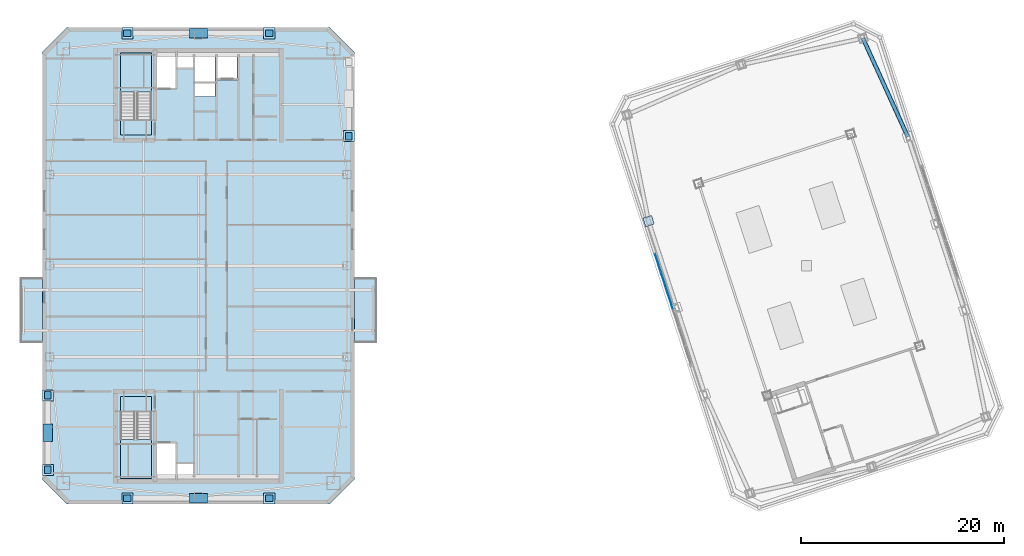
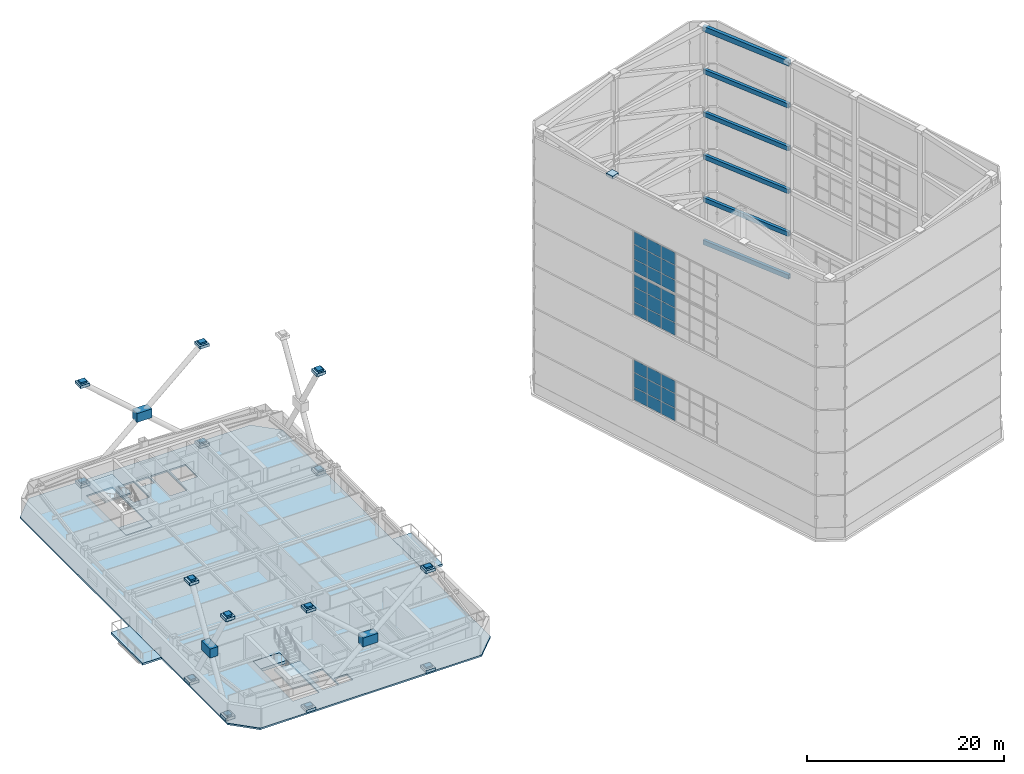
# One storey, part 44 of 56: 59 plates, 7 slabs, 6 beams, 5 elements without a shape of their own.
"""IFC4 building model written with IfcOpenShell, lengths in metres."""

import ifcopenshell
import ifcopenshell.guid

model = None  # the IFC model being written
_history = None  # IfcOwnerHistory: only IFC2X3 demands one
_inside = {}  # id of a spatial element -> (the spatial element, [elements in it])
_under = {}  # id of a project, library or spatial element -> (it, [spatial elements below it])
_declared = {}  # id of a project -> (the project, [libraries it declares])
_typed = {}  # id of a type object -> (the type object, [elements of that type])
_made_of = {}  # id of a material, layer set ... -> (it, [elements and type objects made of it])


def new_model(schema):
    """Start an empty IFC model of exactly this schema.

    Asked for "IFC4X3", IfcOpenShell would pick the latest addendum, in which some entities
    have other attributes; the version numbers below select the first issue.
    IFC2X3 requires an IfcOwnerHistory on every rooted entity: one is made here for all.
    """
    global model, _history
    if schema == "IFC4X3":
        model = ifcopenshell.file(schema_version=(4, 3, 0, 0))
    else:
        model = ifcopenshell.file(schema=schema)
    _inside.clear()
    _under.clear()
    _declared.clear()
    _typed.clear()
    _made_of.clear()
    _history = None
    if model.schema == "IFC2X3":
        org = make("IfcOrganization", Name="unknown")
        user = make(
            "IfcPersonAndOrganization",
            ThePerson=make("IfcPerson", FamilyName="unknown"),
            TheOrganization=org,
        )
        app = make(
            "IfcApplication",
            ApplicationDeveloper=org,
            Version="unknown",
            ApplicationFullName="unknown",
            ApplicationIdentifier="unknown",
        )
        _history = make(
            "IfcOwnerHistory",
            OwningUser=user,
            OwningApplication=app,
            ChangeAction="ADDED",
            CreationDate=0,
        )
    return model


def make(cls, **values):
    """One entity of the class cls with the attributes given. An attribute that is None is left unset."""
    return model.create_entity(
        cls, **{name: value for name, value in values.items() if value is not None}
    )


def rooted(cls, **values):
    """An entity with a GlobalId (a new one), such as an element, a storey or a relation."""
    return make(cls, GlobalId=ifcopenshell.guid.new(), OwnerHistory=_history, **values)


def si_unit(unit_type, name, prefix=None):
    """IfcSIUnit, for example si_unit("LENGTHUNIT", "METRE", prefix="MILLI")."""
    return make("IfcSIUnit", UnitType=unit_type, Prefix=prefix, Name=name)


def assignment(units):
    """IfcUnitAssignment: the units of a project."""
    return None if units is None else make("IfcUnitAssignment", Units=units)


def point(xyz):
    """IfcCartesianPoint."""
    return None if xyz is None else make("IfcCartesianPoint", Coordinates=xyz)


def direction(xyz):
    """IfcDirection."""
    return None if xyz is None else make("IfcDirection", DirectionRatios=xyz)


def frame(location, z_axis=None, x_axis=None):
    """IfcAxis2Placement3D, a coordinate frame: its origin and axes. An axis left out is left unset."""
    return make(
        "IfcAxis2Placement3D",
        Location=point(location),
        Axis=direction(z_axis),
        RefDirection=direction(x_axis),
    )


def frame_2d(location, x_axis=None):
    """IfcAxis2Placement2D, a coordinate frame in the plane: its origin and x axis."""
    return make(
        "IfcAxis2Placement2D", Location=point(location), RefDirection=direction(x_axis)
    )


def origin():
    """The frame at (0, 0, 0) with its axes left unset."""
    return frame((0.0, 0.0, 0.0))


def origin_2d():
    """The frame at (0, 0) in the plane with its x axis left unset."""
    return frame_2d((0.0, 0.0))


def place(relative_to, where):
    """IfcLocalPlacement: puts the frame where relative to a parent placement (None: the world)."""
    return make(
        "IfcLocalPlacement", PlacementRelTo=relative_to, RelativePlacement=where
    )


def context(
    kind, dimensions, precision=None, world=None, true_north=None, identifier=None
):
    """IfcGeometricRepresentationContext, for example the 3D "Model" context."""
    return make(
        "IfcGeometricRepresentationContext",
        ContextIdentifier=identifier,
        ContextType=kind,
        CoordinateSpaceDimension=dimensions,
        Precision=precision,
        WorldCoordinateSystem=world,
        TrueNorth=true_north,
    )


def subcontext(parent, identifier, kind, view, scale=None):
    """IfcGeometricRepresentationSubContext, for example "Body" below "Model"."""
    return make(
        "IfcGeometricRepresentationSubContext",
        ContextIdentifier=identifier,
        ContextType=kind,
        ParentContext=parent,
        TargetScale=scale,
        TargetView=view,
    )


def project(units=None, contexts=None):
    """IfcProject with its units and contexts."""
    return rooted(
        "IfcProject",
        Name="project",
        RepresentationContexts=contexts,
        UnitsInContext=assignment(units),
    )


def spatial(cls, under=None, at=None, **own):
    """A site, building, storey or space (cls), placed at a placement, below another one or the project."""
    s = rooted(cls, ObjectPlacement=at, **own)
    if under is not None:
        _under.setdefault(under.id(), (under, []))[1].append(s)
    return s


def polyline(points):
    """IfcPolyline through the points."""
    return make("IfcPolyline", Points=[point(p) for p in points])


def profile(cls, at=None, kind="AREA", **sizes):
    """A parametric profile (cls). Its sizes go by their IFC names, for example OverallWidth=200.0."""
    return make(cls, ProfileType=kind, Position=at, **sizes)


def rectangle(**sizes):
    """IfcRectangleProfileDef."""
    return profile("IfcRectangleProfileDef", **sizes)


def hollow_rectangle(**sizes):
    """IfcRectangleHollowProfileDef."""
    return profile("IfcRectangleHollowProfileDef", **sizes)


def outline(outer, holes=None, kind="AREA"):
    """IfcArbitraryClosedProfileDef: a profile drawn as a closed curve; with holes, ...WithVoids."""
    if holes is None:
        return make("IfcArbitraryClosedProfileDef", ProfileType=kind, OuterCurve=outer)
    return make(
        "IfcArbitraryProfileDefWithVoids",
        ProfileType=kind,
        OuterCurve=outer,
        InnerCurves=holes,
    )


def extrude(swept, where, along, depth):
    """IfcExtrudedAreaSolid: the profile swept, set in the frame where, extruded along a direction by depth."""
    return make(
        "IfcExtrudedAreaSolid",
        SweptArea=swept,
        Position=where,
        ExtrudedDirection=direction(along),
        Depth=depth,
    )


def shape(context_of_items, identifier, shape_type, items):
    """IfcShapeRepresentation: the items that make up one representation, for example the "Body"."""
    return make(
        "IfcShapeRepresentation",
        ContextOfItems=context_of_items,
        RepresentationIdentifier=identifier,
        RepresentationType=shape_type,
        Items=items,
    )


def material(Name=None, Category=None):
    """IfcMaterial."""
    return make("IfcMaterial", Name=Name, Category=Category)


def layer(
    of_material, thickness, ventilated=None, Name=None, Category=None, Priority=None
):
    """IfcMaterialLayer: one layer of a wall or slab, of a material (None: an air gap)."""
    return make(
        "IfcMaterialLayer",
        Material=of_material,
        LayerThickness=thickness,
        IsVentilated=ventilated,
        Name=Name,
        Category=Category,
        Priority=Priority,
    )


def layer_set(layers, Name=None):
    """IfcMaterialLayerSet."""
    return make("IfcMaterialLayerSet", MaterialLayers=layers, LayerSetName=Name)


def material_profile(
    of_material, cross_section, Name=None, Category=None, Priority=None
):
    """IfcMaterialProfile: a cross section and its material."""
    return make(
        "IfcMaterialProfile",
        Name=Name,
        Material=of_material,
        Profile=cross_section,
        Priority=Priority,
        Category=Category,
    )


def profile_set(profiles, Name=None, composite=None):
    """IfcMaterialProfileSet."""
    return make(
        "IfcMaterialProfileSet",
        Name=Name,
        MaterialProfiles=profiles,
        CompositeProfile=composite,
    )


def made_of(thing, what):
    """Note that an element or type object is made of a material, layer set ...; save() writes the relation."""
    if what is not None:
        _made_of.setdefault(what.id(), (what, []))[1].append(thing)
    return thing


def type_object(cls, material=None, **own):
    """A type object (cls), such as IfcWallType, which elements share."""
    return made_of(rooted(cls, **own), material)


def element(
    cls,
    number,
    at=None,
    inside=None,
    cuts=None,
    type_object=None,
    material=None,
    context=None,
    identifier="Body",
    shape_type=None,
    held_by="IfcProductDefinitionShape",
    body=None,
    shapes=None,
    **own,
):
    """One element of the class cls, such as IfcWall. Its Tag is "e" and its number.

    at: its placement. inside: the storey or other place that contains it. cuts: it is an
    opening in that element (IfcRelVoidsElement). A single representation is given by context,
    identifier, shape_type and body (its items); several are given by shapes. held_by: the class
    of the entity that holds the representations. save() writes the other relations.
    """
    e = rooted(cls, Tag="e%d" % number, ObjectPlacement=at, **own)
    if body is not None:
        shapes = [shape(context, identifier, shape_type, body)]
    if shapes is not None:
        e.Representation = make(held_by, Representations=shapes)
    if inside is not None:
        _inside.setdefault(inside.id(), (inside, []))[1].append(e)
    if cuts is not None:
        rooted(
            "IfcRelVoidsElement", RelatingBuildingElement=cuts, RelatedOpeningElement=e
        )
    if type_object is not None:
        _typed.setdefault(type_object.id(), (type_object, []))[1].append(e)
    return made_of(e, material)


def aggregate(whole, parts):
    """IfcRelAggregates: a whole, such as a stair, and the parts it consists of."""
    return rooted("IfcRelAggregates", RelatingObject=whole, RelatedObjects=parts)


def save(model, path):
    """Write the relations noted so far, then the file.

    IfcRelAggregates (storeys below a building ...), IfcRelContainedInSpatialStructure (elements
    in a storey), IfcRelDefinesByType, IfcRelAssociatesMaterial and IfcRelDeclares: one each for
    every whole, place, type object, material and project.
    """
    for whole, parts in _under.values():
        aggregate(whole, parts)
    for where, things in _inside.values():
        rooted(
            "IfcRelContainedInSpatialStructure",
            RelatedElements=things,
            RelatingStructure=where,
        )
    for kind, things in _typed.values():
        rooted("IfcRelDefinesByType", RelatedObjects=things, RelatingType=kind)
    for what, things in _made_of.values():
        rooted("IfcRelAssociatesMaterial", RelatedObjects=things, RelatingMaterial=what)
    for by, libraries in _declared.values():
        rooted("IfcRelDeclares", RelatingContext=by, RelatedDefinitions=libraries)
    model.write(path)


model = new_model("IFC4")

# Units and contexts
model_context = context("Model", 3, precision=1e-05, world=origin(), true_north=direction((0.0, 1.0)))
body_context = subcontext(model_context, "Body", "Model", "MODEL_VIEW")
ifc_project = project(units=[si_unit("LENGTHUNIT", "METRE"), si_unit("AREAUNIT", "SQUARE_METRE"), si_unit("VOLUMEUNIT", "CUBIC_METRE"), si_unit("PLANEANGLEUNIT", "RADIAN"), si_unit("MASSUNIT", "GRAM", prefix="KILO")], contexts=[model_context])

# Site, building, storey
site_placement = place(None, origin())
site = spatial("IfcSite", under=ifc_project, at=site_placement, CompositionType="ELEMENT")
building_placement = place(site_placement, origin())
building = spatial("IfcBuilding", under=site, at=building_placement, Name="Qiaolan Cultural Towers", CompositionType="ELEMENT")
storey_placement = place(building_placement, frame((0.0, 0.0, 250.39990234375)))
storey = spatial("IfcBuildingStorey", under=building, at=storey_placement, Name="L68", CompositionType="ELEMENT", Elevation=250.39990234375)

# Beams
ifc_material_1 = material(Name="Steel Q355B", Category="steel")
ifc_material_profile_1 = material_profile(ifc_material_1, hollow_rectangle(XDim=0.39990234375, YDim=0.64990234375, WallThickness=0.02001953125, at=origin_2d()), Name="BOX650x400x20")
ifc_profile_set_1 = profile_set([ifc_material_profile_1], Name="Steel Q355B")
beam_type_1 = type_object("IfcBeamType", Name="BM-CROWN-FRAME-1", PredefinedType="BEAM", material=ifc_profile_set_1)
beam_placement = place(storey_placement, frame((100.010498046875, 46.7158203125, 31.47509765625), z_axis=(-0.414500208282, 0.910049216985, 0.0), x_axis=(-0.910049216985, -0.414500208282, 0.0)))
element("IfcBeam", 1, at=beam_placement, inside=storey, type_object=beam_type_1, Name="T2 Crown Frame Top Cap Ring Beam T6-7", PredefinedType="BEAM", context=body_context, shape_type="SweptSolid", body=[
    extrude(hollow_rectangle(XDim=0.39990234375, YDim=0.64990234375, WallThickness=0.02001953125, at=origin_2d()), origin(), (0.0, 0.0, 1.0), 10.70849609375),
])
ifc_material_2 = material(Name="Steel Q355B", Category="steel")
ifc_material_profile_2 = material_profile(ifc_material_2, hollow_rectangle(XDim=0.35009765625, YDim=0.550048828125, WallThickness=0.01806640625, at=origin_2d()), Name="BOX550x350x18")
ifc_profile_set_2 = profile_set([ifc_material_profile_2], Name="Steel Q355B")
beam_type_2 = type_object("IfcBeamType", Name="BM-CROWN-FRAME-2", PredefinedType="BEAM", material=ifc_profile_set_2)
for number, where, z_axis, x_axis, name in (
    (2, (100.010498046875, 46.7158203125, 4.97509765625), (-0.414500208282, 0.910049216985, 0.0), (-0.910049216985, -0.414500208282, 0.0), "T2 Crown Frame Ring Beam T1-7"),
    (3, (100.010498046875, 46.7158203125, 10.275146484375), (-0.414500208282, 0.910049216985, 0.0), (-0.910049216985, -0.414500208282, 0.0), "T2 Crown Frame Ring Beam T2-7"),
    (4, (100.010498046875, 46.7158203125, 15.5751953125), (-0.414500208282, 0.910049216985, 0.0), (-0.910049216985, -0.414500208282, 0.0), "T2 Crown Frame Ring Beam T3-7"),
    (5, (100.010498046875, 46.7158203125, 20.875), (-0.414500208282, 0.910049216985, 0.0), (-0.910049216985, -0.414500208282, 0.0), "T2 Crown Frame Ring Beam T4-7"),
    (6, (100.010498046875, 46.7158203125, 26.175048828125), (-0.414500208282, 0.910049216985, 0.0), (-0.910049216985, -0.414500208282, 0.0), "T2 Crown Frame Ring Beam T5-7"),
):
    element("IfcBeam", number, at=place(storey_placement, frame(where, z_axis=z_axis, x_axis=x_axis)), inside=storey, type_object=beam_type_2, Name=name, PredefinedType="BEAM", context=body_context, shape_type="SweptSolid", body=[
        extrude(hollow_rectangle(XDim=0.35009765625, YDim=0.550048828125, WallThickness=0.01806640625, at=origin_2d()), origin(), (0.0, 0.0, 1.0), 10.70849609375),
    ])

# Curtain wall, plates
ifc_material_3 = material(Name="Unitized Anodized Aluminium Curtain Wall System", Category="aluminium")
ifc_layer_1 = layer(ifc_material_3, 0.199951171875)
ifc_layer_set_1 = layer_set([ifc_layer_1], Name="Unitized Anodized Aluminium Curtain Wall System")
curtain_wall_type = type_object("IfcCurtainWallType", Name="CWS-06", PredefinedType="NOTDEFINED", material=ifc_layer_set_1)
curtain_wall_1_placement = place(storey_placement, origin())
curtain_wall_1 = element("IfcCurtainWall", 7, at=curtain_wall_1_placement, inside=storey, type_object=curtain_wall_type, Name="T2 Crown Tier 2 Fritted Screen Curtain Wall 7", PredefinedType="NOTDEFINED")
ifc_material_4 = material(Name="Laminated Low-E Insulating Glass Unit", Category="glass")
ifc_layer_2 = layer(ifc_material_4, 0.035888671875)
ifc_layer_set_2 = layer_set([ifc_layer_2], Name="Laminated Low-E Insulating Glass Unit")
plate_type_1 = type_object("IfcPlateType", Name="CWS-06-PNL", PredefinedType="CURTAIN_PANEL", material=ifc_layer_set_2)
plate_1_placement = place(storey_placement, frame((75.350341796875, 34.267333984375, 5.46533203125), z_axis=(0.0, 0.0, 1.0), x_axis=(0.309016935232, -0.951056535512, 0.0)))
plate_1 = element("IfcPlate", 8, at=plate_1_placement, type_object=plate_type_1, Name="CW-6 panel 1.1", PredefinedType="CURTAIN_PANEL", context=body_context, shape_type="SweptSolid", body=[
    extrude(rectangle(XDim=1.8076171875, YDim=0.035888671875, at=origin_2d()), origin(), (0.0, 0.0, 1.0), 1.532470703125),
])
plate_2_placement = place(storey_placement, frame((75.350341796875, 34.267333984375, 7.062744140625), z_axis=(0.0, 0.0, 1.0), x_axis=(0.309016935232, -0.951056535512, 0.0)))
plate_2 = element("IfcPlate", 9, at=plate_2_placement, type_object=plate_type_1, Name="CW-6 panel 1.2", PredefinedType="CURTAIN_PANEL", context=body_context, shape_type="SweptSolid", body=[
    extrude(rectangle(XDim=1.8076171875, YDim=0.035888671875, at=origin_2d()), origin(), (0.0, 0.0, 1.0), 1.77490234375),
])
plate_3_placement = place(storey_placement, frame((75.350341796875, 34.267333984375, 8.90283203125), z_axis=(0.0, 0.0, 1.0), x_axis=(0.309016935232, -0.951056535512, 0.0)))
plate_3 = element("IfcPlate", 10, at=plate_3_placement, type_object=plate_type_1, Name="CW-6 panel 1.3", PredefinedType="CURTAIN_PANEL", context=body_context, shape_type="SweptSolid", body=[
    extrude(rectangle(XDim=1.8076171875, YDim=0.035888671875, at=origin_2d()), origin(), (0.0, 0.0, 1.0), 1.532470703125),
])
plate_4_placement = place(storey_placement, frame((75.93798828125, 32.459228515625, 5.46533203125), z_axis=(0.0, 0.0, 1.0), x_axis=(0.309016935232, -0.951056535512, 0.0)))
plate_4 = element("IfcPlate", 11, at=plate_4_placement, type_object=plate_type_1, Name="CW-6 panel 2.1", PredefinedType="CURTAIN_PANEL", context=body_context, shape_type="SweptSolid", body=[
    extrude(rectangle(XDim=1.844970703125, YDim=0.035888671875, at=origin_2d()), origin(), (0.0, 0.0, 1.0), 1.532470703125),
])
plate_5_placement = place(storey_placement, frame((75.93798828125, 32.459228515625, 7.062744140625), z_axis=(0.0, 0.0, 1.0), x_axis=(0.309016935232, -0.951056535512, 0.0)))
plate_5 = element("IfcPlate", 12, at=plate_5_placement, type_object=plate_type_1, Name="CW-6 panel 2.2", PredefinedType="CURTAIN_PANEL", context=body_context, shape_type="SweptSolid", body=[
    extrude(rectangle(XDim=1.844970703125, YDim=0.035888671875, at=origin_2d()), origin(), (0.0, 0.0, 1.0), 1.77490234375),
])
plate_6_placement = place(storey_placement, frame((75.93798828125, 32.459228515625, 8.90283203125), z_axis=(0.0, 0.0, 1.0), x_axis=(0.309016935232, -0.951056535512, 0.0)))
plate_6 = element("IfcPlate", 13, at=plate_6_placement, type_object=plate_type_1, Name="CW-6 panel 2.3", PredefinedType="CURTAIN_PANEL", context=body_context, shape_type="SweptSolid", body=[
    extrude(rectangle(XDim=1.844970703125, YDim=0.035888671875, at=origin_2d()), origin(), (0.0, 0.0, 1.0), 1.532470703125),
])
plate_7_placement = place(storey_placement, frame((76.53125, 30.633056640625, 5.46533203125), z_axis=(0.0, 0.0, 1.0), x_axis=(0.309016935232, -0.951056535512, 0.0)))
plate_7 = element("IfcPlate", 14, at=plate_7_placement, type_object=plate_type_1, Name="CW-6 panel 3.1", PredefinedType="CURTAIN_PANEL", context=body_context, shape_type="SweptSolid", body=[
    extrude(rectangle(XDim=1.844970703125, YDim=0.035888671875, at=origin_2d()), origin(), (0.0, 0.0, 1.0), 1.532470703125),
])
plate_8_placement = place(storey_placement, frame((76.53125, 30.633056640625, 7.062744140625), z_axis=(0.0, 0.0, 1.0), x_axis=(0.309016935232, -0.951056535512, 0.0)))
plate_8 = element("IfcPlate", 15, at=plate_8_placement, type_object=plate_type_1, Name="CW-6 panel 3.2", PredefinedType="CURTAIN_PANEL", context=body_context, shape_type="SweptSolid", body=[
    extrude(rectangle(XDim=1.844970703125, YDim=0.035888671875, at=origin_2d()), origin(), (0.0, 0.0, 1.0), 1.77490234375),
])
plate_9_placement = place(storey_placement, frame((76.53125, 30.633056640625, 8.90283203125), z_axis=(0.0, 0.0, 1.0), x_axis=(0.309016935232, -0.951056535512, 0.0)))
plate_9 = element("IfcPlate", 16, at=plate_9_placement, type_object=plate_type_1, Name="CW-6 panel 3.3", PredefinedType="CURTAIN_PANEL", context=body_context, shape_type="SweptSolid", body=[
    extrude(rectangle(XDim=1.844970703125, YDim=0.035888671875, at=origin_2d()), origin(), (0.0, 0.0, 1.0), 1.532470703125),
])
aggregate(curtain_wall_1, [plate_1, plate_2, plate_3, plate_4, plate_5, plate_6, plate_7, plate_8, plate_9])

curtain_wall_2_placement = place(storey_placement, origin())
curtain_wall_2 = element("IfcCurtainWall", 17, at=curtain_wall_2_placement, inside=storey, type_object=curtain_wall_type, Name="T2 Crown Tier 4 Fritted Screen Curtain Wall 7", PredefinedType="NOTDEFINED")
plate_10_placement = place(storey_placement, frame((75.350341796875, 34.267333984375, 16.06494140625), z_axis=(0.0, 0.0, 1.0), x_axis=(0.309016935232, -0.951056535512, 0.0)))
plate_10 = element("IfcPlate", 18, at=plate_10_placement, type_object=plate_type_1, Name="CW-6 panel 1.1", PredefinedType="CURTAIN_PANEL", context=body_context, shape_type="SweptSolid", body=[
    extrude(rectangle(XDim=1.8076171875, YDim=0.035888671875, at=origin_2d()), origin(), (0.0, 0.0, 1.0), 1.532470703125),
])
plate_11_placement = place(storey_placement, frame((75.350341796875, 34.267333984375, 17.66259765625), z_axis=(0.0, 0.0, 1.0), x_axis=(0.309016935232, -0.951056535512, 0.0)))
plate_11 = element("IfcPlate", 19, at=plate_11_placement, type_object=plate_type_1, Name="CW-6 panel 1.2", PredefinedType="CURTAIN_PANEL", context=body_context, shape_type="SweptSolid", body=[
    extrude(rectangle(XDim=1.8076171875, YDim=0.035888671875, at=origin_2d()), origin(), (0.0, 0.0, 1.0), 1.77490234375),
])
plate_12_placement = place(storey_placement, frame((75.350341796875, 34.267333984375, 19.50244140625), z_axis=(0.0, 0.0, 1.0), x_axis=(0.309016935232, -0.951056535512, 0.0)))
plate_12 = element("IfcPlate", 20, at=plate_12_placement, type_object=plate_type_1, Name="CW-6 panel 1.3", PredefinedType="CURTAIN_PANEL", context=body_context, shape_type="SweptSolid", body=[
    extrude(rectangle(XDim=1.8076171875, YDim=0.035888671875, at=origin_2d()), origin(), (0.0, 0.0, 1.0), 1.532470703125),
])
plate_13_placement = place(storey_placement, frame((75.93798828125, 32.459228515625, 16.06494140625), z_axis=(0.0, 0.0, 1.0), x_axis=(0.309016935232, -0.951056535512, 0.0)))
plate_13 = element("IfcPlate", 21, at=plate_13_placement, type_object=plate_type_1, Name="CW-6 panel 2.1", PredefinedType="CURTAIN_PANEL", context=body_context, shape_type="SweptSolid", body=[
    extrude(rectangle(XDim=1.844970703125, YDim=0.035888671875, at=origin_2d()), origin(), (0.0, 0.0, 1.0), 1.532470703125),
])
plate_14_placement = place(storey_placement, frame((75.93798828125, 32.459228515625, 17.66259765625), z_axis=(0.0, 0.0, 1.0), x_axis=(0.309016935232, -0.951056535512, 0.0)))
plate_14 = element("IfcPlate", 22, at=plate_14_placement, type_object=plate_type_1, Name="CW-6 panel 2.2", PredefinedType="CURTAIN_PANEL", context=body_context, shape_type="SweptSolid", body=[
    extrude(rectangle(XDim=1.844970703125, YDim=0.035888671875, at=origin_2d()), origin(), (0.0, 0.0, 1.0), 1.77490234375),
])
plate_15_placement = place(storey_placement, frame((75.93798828125, 32.459228515625, 19.50244140625), z_axis=(0.0, 0.0, 1.0), x_axis=(0.309016935232, -0.951056535512, 0.0)))
plate_15 = element("IfcPlate", 23, at=plate_15_placement, type_object=plate_type_1, Name="CW-6 panel 2.3", PredefinedType="CURTAIN_PANEL", context=body_context, shape_type="SweptSolid", body=[
    extrude(rectangle(XDim=1.844970703125, YDim=0.035888671875, at=origin_2d()), origin(), (0.0, 0.0, 1.0), 1.532470703125),
])
plate_16_placement = place(storey_placement, frame((76.53125, 30.633056640625, 16.06494140625), z_axis=(0.0, 0.0, 1.0), x_axis=(0.309016935232, -0.951056535512, 0.0)))
plate_16 = element("IfcPlate", 24, at=plate_16_placement, type_object=plate_type_1, Name="CW-6 panel 3.1", PredefinedType="CURTAIN_PANEL", context=body_context, shape_type="SweptSolid", body=[
    extrude(rectangle(XDim=1.844970703125, YDim=0.035888671875, at=origin_2d()), origin(), (0.0, 0.0, 1.0), 1.532470703125),
])
plate_17_placement = place(storey_placement, frame((76.53125, 30.633056640625, 17.66259765625), z_axis=(0.0, 0.0, 1.0), x_axis=(0.309016935232, -0.951056535512, 0.0)))
plate_17 = element("IfcPlate", 25, at=plate_17_placement, type_object=plate_type_1, Name="CW-6 panel 3.2", PredefinedType="CURTAIN_PANEL", context=body_context, shape_type="SweptSolid", body=[
    extrude(rectangle(XDim=1.844970703125, YDim=0.035888671875, at=origin_2d()), origin(), (0.0, 0.0, 1.0), 1.77490234375),
])
plate_18_placement = place(storey_placement, frame((76.53125, 30.633056640625, 19.50244140625), z_axis=(0.0, 0.0, 1.0), x_axis=(0.309016935232, -0.951056535512, 0.0)))
plate_18 = element("IfcPlate", 26, at=plate_18_placement, type_object=plate_type_1, Name="CW-6 panel 3.3", PredefinedType="CURTAIN_PANEL", context=body_context, shape_type="SweptSolid", body=[
    extrude(rectangle(XDim=1.844970703125, YDim=0.035888671875, at=origin_2d()), origin(), (0.0, 0.0, 1.0), 1.532470703125),
])
aggregate(curtain_wall_2, [plate_10, plate_11, plate_12, plate_13, plate_14, plate_15, plate_16, plate_17, plate_18])

curtain_wall_3_placement = place(storey_placement, origin())
curtain_wall_3 = element("IfcCurtainWall", 27, at=curtain_wall_3_placement, inside=storey, type_object=curtain_wall_type, Name="T2 Crown Tier 5 Fritted Screen Curtain Wall 7", PredefinedType="NOTDEFINED")
plate_19_placement = place(storey_placement, frame((75.350341796875, 34.267333984375, 21.365234375), z_axis=(0.0, 0.0, 1.0), x_axis=(0.309016935232, -0.951056535512, 0.0)))
plate_19 = element("IfcPlate", 28, at=plate_19_placement, type_object=plate_type_1, Name="CW-6 panel 1.1", PredefinedType="CURTAIN_PANEL", context=body_context, shape_type="SweptSolid", body=[
    extrude(rectangle(XDim=1.8076171875, YDim=0.035888671875, at=origin_2d()), origin(), (0.0, 0.0, 1.0), 1.532470703125),
])
plate_20_placement = place(storey_placement, frame((75.350341796875, 34.267333984375, 22.962646484375), z_axis=(0.0, 0.0, 1.0), x_axis=(0.309016935232, -0.951056535512, 0.0)))
plate_20 = element("IfcPlate", 29, at=plate_20_placement, type_object=plate_type_1, Name="CW-6 panel 1.2", PredefinedType="CURTAIN_PANEL", context=body_context, shape_type="SweptSolid", body=[
    extrude(rectangle(XDim=1.8076171875, YDim=0.035888671875, at=origin_2d()), origin(), (0.0, 0.0, 1.0), 1.77490234375),
])
plate_21_placement = place(storey_placement, frame((75.350341796875, 34.267333984375, 24.802734375), z_axis=(0.0, 0.0, 1.0), x_axis=(0.309016935232, -0.951056535512, 0.0)))
plate_21 = element("IfcPlate", 30, at=plate_21_placement, type_object=plate_type_1, Name="CW-6 panel 1.3", PredefinedType="CURTAIN_PANEL", context=body_context, shape_type="SweptSolid", body=[
    extrude(rectangle(XDim=1.8076171875, YDim=0.035888671875, at=origin_2d()), origin(), (0.0, 0.0, 1.0), 1.532470703125),
])
plate_22_placement = place(storey_placement, frame((75.93798828125, 32.459228515625, 21.365234375), z_axis=(0.0, 0.0, 1.0), x_axis=(0.309016935232, -0.951056535512, 0.0)))
plate_22 = element("IfcPlate", 31, at=plate_22_placement, type_object=plate_type_1, Name="CW-6 panel 2.1", PredefinedType="CURTAIN_PANEL", context=body_context, shape_type="SweptSolid", body=[
    extrude(rectangle(XDim=1.844970703125, YDim=0.035888671875, at=origin_2d()), origin(), (0.0, 0.0, 1.0), 1.532470703125),
])
plate_23_placement = place(storey_placement, frame((75.93798828125, 32.459228515625, 22.962646484375), z_axis=(0.0, 0.0, 1.0), x_axis=(0.309016935232, -0.951056535512, 0.0)))
plate_23 = element("IfcPlate", 32, at=plate_23_placement, type_object=plate_type_1, Name="CW-6 panel 2.2", PredefinedType="CURTAIN_PANEL", context=body_context, shape_type="SweptSolid", body=[
    extrude(rectangle(XDim=1.844970703125, YDim=0.035888671875, at=origin_2d()), origin(), (0.0, 0.0, 1.0), 1.77490234375),
])
plate_24_placement = place(storey_placement, frame((75.93798828125, 32.459228515625, 24.802734375), z_axis=(0.0, 0.0, 1.0), x_axis=(0.309016935232, -0.951056535512, 0.0)))
plate_24 = element("IfcPlate", 33, at=plate_24_placement, type_object=plate_type_1, Name="CW-6 panel 2.3", PredefinedType="CURTAIN_PANEL", context=body_context, shape_type="SweptSolid", body=[
    extrude(rectangle(XDim=1.844970703125, YDim=0.035888671875, at=origin_2d()), origin(), (0.0, 0.0, 1.0), 1.532470703125),
])
plate_25_placement = place(storey_placement, frame((76.53125, 30.633056640625, 21.365234375), z_axis=(0.0, 0.0, 1.0), x_axis=(0.309016935232, -0.951056535512, 0.0)))
plate_25 = element("IfcPlate", 34, at=plate_25_placement, type_object=plate_type_1, Name="CW-6 panel 3.1", PredefinedType="CURTAIN_PANEL", context=body_context, shape_type="SweptSolid", body=[
    extrude(rectangle(XDim=1.844970703125, YDim=0.035888671875, at=origin_2d()), origin(), (0.0, 0.0, 1.0), 1.532470703125),
])
plate_26_placement = place(storey_placement, frame((76.53125, 30.633056640625, 22.962646484375), z_axis=(0.0, 0.0, 1.0), x_axis=(0.309016935232, -0.951056535512, 0.0)))
plate_26 = element("IfcPlate", 35, at=plate_26_placement, type_object=plate_type_1, Name="CW-6 panel 3.2", PredefinedType="CURTAIN_PANEL", context=body_context, shape_type="SweptSolid", body=[
    extrude(rectangle(XDim=1.844970703125, YDim=0.035888671875, at=origin_2d()), origin(), (0.0, 0.0, 1.0), 1.77490234375),
])
plate_27_placement = place(storey_placement, frame((76.53125, 30.633056640625, 24.802734375), z_axis=(0.0, 0.0, 1.0), x_axis=(0.309016935232, -0.951056535512, 0.0)))
plate_27 = element("IfcPlate", 36, at=plate_27_placement, type_object=plate_type_1, Name="CW-6 panel 3.3", PredefinedType="CURTAIN_PANEL", context=body_context, shape_type="SweptSolid", body=[
    extrude(rectangle(XDim=1.844970703125, YDim=0.035888671875, at=origin_2d()), origin(), (0.0, 0.0, 1.0), 1.532470703125),
])
aggregate(curtain_wall_3, [plate_19, plate_20, plate_21, plate_22, plate_23, plate_24, plate_25, plate_26, plate_27])

# Plates
ifc_material_5 = material(Name="Steel Q355B", Category="steel")
ifc_layer_3 = layer(ifc_material_5, 0.035888671875)
ifc_layer_set_3 = layer_set([ifc_layer_3], Name="Steel Q355B")
plate_type_2 = type_object("IfcPlateType", Name="PL-CONN-36", PredefinedType="USERDEFINED", material=ifc_layer_set_3)
for number, where, z_axis, x_axis, name in (
    (37, (15.14990234375, 13.85009765625, -0.2197265625), (0.0, 0.0, 1.0), (0.0, 1.0, 0.0), "L68 Brace End Connection Gusset Plate GP-02-0388"),
    (38, (15.14990234375, 21.199951171875, 12.1298828125), (0.0, 0.0, 1.0), (0.0, 1.0, 0.0), "L68 Brace End Connection Gusset Plate GP-02-0389"),
    (39, (15.14990234375, 21.199951171875, -0.2197265625), (0.0, 0.0, 1.0), (0.0, 1.0, 0.0), "L68 Brace End Connection Gusset Plate GP-02-0390"),
    (40, (15.14990234375, 13.85009765625, 12.1298828125), (0.0, 0.0, 1.0), (0.0, 1.0, 0.0), "L68 Brace End Connection Gusset Plate GP-02-0391"),
    (41, (44.85009765625, 46.800048828125, -0.2197265625), (0.0, 0.0, 1.0), (0.0, 1.0, 0.0), "L68 Brace End Connection Gusset Plate GP-02-0392"),
    (42, (44.85009765625, 46.800048828125, 12.1298828125), (0.0, 0.0, 1.0), (0.0, 1.0, 0.0), "L68 Brace End Connection Gusset Plate GP-02-0395"),
    (43, (23.0, 11.050048828125, -0.2197265625), (0.0, 0.0, 1.0), (1.0, 0.0, 0.0), "L68 Brace End Connection Gusset Plate GP-02-0396"),
    (44, (37.0, 11.050048828125, 12.1298828125), (0.0, 0.0, 1.0), (1.0, 0.0, 0.0), "L68 Brace End Connection Gusset Plate GP-02-0397"),
    (45, (37.0, 11.050048828125, -0.2197265625), (0.0, 0.0, 1.0), (1.0, 0.0, 0.0), "L68 Brace End Connection Gusset Plate GP-02-0398"),
    (46, (23.0, 11.050048828125, 12.1298828125), (0.0, 0.0, 1.0), (1.0, 0.0, 0.0), "L68 Brace End Connection Gusset Plate GP-02-0399"),
    (47, (23.0, 56.949951171875, -0.2197265625), (0.0, 0.0, 1.0), (1.0, 0.0, 0.0), "L68 Brace End Connection Gusset Plate GP-02-0400"),
    (48, (37.0, 56.949951171875, 12.1298828125), (0.0, 0.0, 1.0), (1.0, 0.0, 0.0), "L68 Brace End Connection Gusset Plate GP-02-0401"),
    (49, (37.0, 56.949951171875, -0.2197265625), (0.0, 0.0, 1.0), (1.0, 0.0, 0.0), "L68 Brace End Connection Gusset Plate GP-02-0402"),
    (50, (23.0, 56.949951171875, 12.1298828125), (0.0, 0.0, 1.0), (1.0, 0.0, 0.0), "L68 Brace End Connection Gusset Plate GP-02-0403"),
):
    element("IfcPlate", number, at=place(storey_placement, frame(where, z_axis=z_axis, x_axis=x_axis)), inside=storey, type_object=plate_type_2, Name=name, ObjectType="GUSSET_PLATE", PredefinedType="USERDEFINED", context=body_context, shape_type="SweptSolid", body=[
        extrude(rectangle(XDim=0.739990234375, YDim=0.6201171875, at=origin_2d()), origin(), (0.0, 0.0, 1.0), 0.739990234375),
    ])
ifc_material_6 = material(Name="Steel Q355B", Category="steel")
ifc_layer_4 = layer(ifc_material_6, 0.030029296875)
ifc_layer_set_4 = layer_set([ifc_layer_4], Name="Steel Q355B")
plate_type_3 = type_object("IfcPlateType", Name="PL-ENDCAP-30", PredefinedType="USERDEFINED", material=ifc_layer_set_4)
for number, where, z_axis, x_axis, name in (
    (51, (15.14990234375, 13.85009765625, -0.02490234375), (0.0, 0.0, 1.0), (0.0, 1.0, 0.0), "Hollow Brace End Seal Cap Plate CP-01"),
    (52, (15.14990234375, 21.199951171875, -0.02490234375), (0.0, 0.0, 1.0), (0.0, 1.0, 0.0), "Hollow Brace End Seal Cap Plate CP-01"),
    (53, (15.14990234375, 13.85009765625, 12.324951171875), (0.0, 0.0, 1.0), (0.0, 1.0, 0.0), "Hollow Brace End Seal Cap Plate CP-01"),
    (54, (15.14990234375, 21.199951171875, 12.324951171875), (0.0, 0.0, 1.0), (0.0, 1.0, 0.0), "Hollow Brace End Seal Cap Plate CP-01"),
    (55, (44.85009765625, 46.800048828125, -0.02490234375), (0.0, 0.0, 1.0), (0.0, 1.0, 0.0), "Hollow Brace End Seal Cap Plate CP-01"),
    (56, (44.85009765625, 46.800048828125, 12.324951171875), (0.0, 0.0, 1.0), (0.0, 1.0, 0.0), "Hollow Brace End Seal Cap Plate CP-01"),
    (57, (23.0, 11.050048828125, -0.02490234375), (0.0, 0.0, 1.0), (1.0, 0.0, 0.0), "Hollow Brace End Seal Cap Plate CP-01"),
    (58, (37.0, 11.050048828125, -0.02490234375), (0.0, 0.0, 1.0), (1.0, 0.0, 0.0), "Hollow Brace End Seal Cap Plate CP-01"),
    (59, (23.0, 11.050048828125, 12.324951171875), (0.0, 0.0, 1.0), (1.0, 0.0, 0.0), "Hollow Brace End Seal Cap Plate CP-01"),
    (60, (37.0, 11.050048828125, 12.324951171875), (0.0, 0.0, 1.0), (1.0, 0.0, 0.0), "Hollow Brace End Seal Cap Plate CP-01"),
    (61, (23.0, 56.949951171875, -0.02490234375), (0.0, 0.0, 1.0), (1.0, 0.0, 0.0), "Hollow Brace End Seal Cap Plate CP-01"),
    (62, (37.0, 56.949951171875, -0.02490234375), (0.0, 0.0, 1.0), (1.0, 0.0, 0.0), "Hollow Brace End Seal Cap Plate CP-01"),
    (63, (23.0, 56.949951171875, 12.324951171875), (0.0, 0.0, 1.0), (1.0, 0.0, 0.0), "Hollow Brace End Seal Cap Plate CP-01"),
    (64, (37.0, 56.949951171875, 12.324951171875), (0.0, 0.0, 1.0), (1.0, 0.0, 0.0), "Hollow Brace End Seal Cap Plate CP-01"),
):
    element("IfcPlate", number, at=place(storey_placement, frame(where, z_axis=z_axis, x_axis=x_axis)), inside=storey, type_object=plate_type_3, Name=name, ObjectType="BASE_PLATE", PredefinedType="USERDEFINED", context=body_context, shape_type="SweptSolid", body=[
        extrude(rectangle(XDim=1.10009765625, YDim=1.10009765625, at=origin_2d()), origin(), (0.0, 0.0, 1.0), 0.35009765625),
    ])
plate_28_placement = place(storey_placement, frame((74.42724609375, 38.4033203125, 31.47509765625), z_axis=(0.0, 0.0, 1.0), x_axis=(0.951056516295, 0.309016994375, 0.0)))
element("IfcPlate", 65, at=plate_28_placement, inside=storey, type_object=plate_type_3, Name="Crown Top Cap Corner Seal Plate CP-01", ObjectType="BASE_PLATE", PredefinedType="USERDEFINED", context=body_context, shape_type="SweptSolid", body=[
    extrude(rectangle(XDim=0.89990234375, YDim=0.89990234375, at=origin_2d()), origin(), (0.0, 0.0, 1.0), 0.35009765625),
])
ifc_material_7 = material(Name="Steel Q390GJB", Category="steel")
ifc_layer_5 = layer(ifc_material_7, 0.0439453125)
ifc_layer_set_5 = layer_set([ifc_layer_5], Name="Steel Q390GJB")
plate_type_4 = type_object("IfcPlateType", Name="PL-NODE-ND02", PredefinedType="USERDEFINED", material=ifc_layer_set_5)
plate_29_placement = place(storey_placement, frame((15.14990234375, 17.52490234375, 5.775146484375), z_axis=(0.0, 0.0, 1.0), x_axis=(0.0, 1.0, 0.0)))
element("IfcPlate", 66, at=plate_29_placement, inside=storey, type_object=plate_type_4, Name="Perimeter Frame Gusset Node Assembly ND-02", ObjectType="GUSSET_PLATE", PredefinedType="USERDEFINED", context=body_context, shape_type="SweptSolid", body=[
    extrude(rectangle(XDim=1.760009765625, YDim=0.9599609375, at=origin_2d()), origin(), (0.0, 0.0, 1.0), 1.10009765625),
])
ifc_material_8 = material(Name="Steel Q390GJB", Category="steel")
ifc_layer_6 = layer(ifc_material_8, 0.0400390625)
ifc_layer_set_6 = layer_set([ifc_layer_6], Name="Steel Q390GJB")
plate_type_5 = type_object("IfcPlateType", Name="PL-NODE-ND04", PredefinedType="USERDEFINED", material=ifc_layer_set_6)
plate_30_placement = place(storey_placement, frame((30.0, 11.050048828125, 5.775146484375), z_axis=(0.0, 0.0, 1.0), x_axis=(1.0, 0.0, 0.0)))
element("IfcPlate", 67, at=plate_30_placement, inside=storey, type_object=plate_type_5, Name="Perimeter Frame Gusset Node Assembly ND-04", ObjectType="GUSSET_PLATE", PredefinedType="USERDEFINED", context=body_context, shape_type="SweptSolid", body=[
    extrude(rectangle(XDim=1.760009765625, YDim=0.9599609375, at=origin_2d()), origin(), (0.0, 0.0, 1.0), 1.10009765625),
])
ifc_material_9 = material(Name="Steel Q390GJB", Category="steel")
ifc_layer_7 = layer(ifc_material_9, 0.0419921875)
ifc_layer_set_7 = layer_set([ifc_layer_7], Name="Steel Q390GJB")
plate_type_6 = type_object("IfcPlateType", Name="PL-NODE-ND05", PredefinedType="USERDEFINED", material=ifc_layer_set_7)
plate_31_placement = place(storey_placement, frame((30.0, 56.949951171875, 5.775146484375), z_axis=(0.0, 0.0, 1.0), x_axis=(1.0, 0.0, 0.0)))
element("IfcPlate", 68, at=plate_31_placement, inside=storey, type_object=plate_type_6, Name="Perimeter Frame Gusset Node Assembly ND-05", ObjectType="GUSSET_PLATE", PredefinedType="USERDEFINED", context=body_context, shape_type="SweptSolid", body=[
    extrude(rectangle(XDim=1.760009765625, YDim=0.9599609375, at=origin_2d()), origin(), (0.0, 0.0, 1.0), 1.10009765625),
])

# Slabs
ifc_material_10 = material(Name="Concrete C45", Category="concrete")
ifc_layer_8 = layer(ifc_material_10, 0.239990234375)
ifc_layer_set_8 = layer_set([ifc_layer_8], Name="Concrete C45")
slab_type_1 = type_object("IfcSlabType", Name="SL-BAL-240", PredefinedType="FLOOR", material=ifc_layer_set_8)
slab_1_placement = place(storey_placement, frame((0.0, 0.0, -0.239990234375)))
element("IfcSlab", 69, at=slab_1_placement, inside=storey, type_object=slab_type_1, Name="L68 T1 Planted Tree Balcony W", PredefinedType="FLOOR", context=body_context, shape_type="SweptSolid", body=[
    extrude(outline(polyline([(12.39990234375, 26.39990234375), (14.60009765625, 26.39990234375), (14.60009765625, 32.800048828125), (12.39990234375, 32.800048828125), (12.39990234375, 26.39990234375)])), origin(), (0.0, 0.0, 1.0), 0.239990234375),
])
slab_2_placement = place(storey_placement, frame((0.0, 0.0, -0.239990234375)))
element("IfcSlab", 70, at=slab_2_placement, inside=storey, type_object=slab_type_1, Name="L68 T1 Planted Tree Balcony E", PredefinedType="FLOOR", context=body_context, shape_type="SweptSolid", body=[
    extrude(outline(polyline([(45.39990234375, 26.39990234375), (47.60009765625, 26.39990234375), (47.60009765625, 32.800048828125), (45.39990234375, 32.800048828125), (45.39990234375, 26.39990234375)])), origin(), (0.0, 0.0, 1.0), 0.239990234375),
])
ifc_material_11 = material(Name="Concrete C45", Category="concrete")
ifc_layer_9 = layer(ifc_material_11, 0.199951171875)
ifc_layer_set_9 = layer_set([ifc_layer_9], Name="Concrete C45")
slab_type_2 = type_object("IfcSlabType", Name="SL-HI-200", PredefinedType="FLOOR", material=ifc_layer_set_9)
slab_3_placement = place(storey_placement, frame((0.0, 0.0, -0.199951171875)))
element("IfcSlab", 71, at=slab_3_placement, inside=storey, type_object=slab_type_2, Name="L68 West Tower Floor Slab", PredefinedType="FLOOR", context=body_context, shape_type="SweptSolid", body=[
    extrude(outline(polyline([(17.0, 10.5), (43.0, 10.5), (45.39990234375, 12.89990234375), (45.39990234375, 55.10009765625), (43.0, 57.5), (17.0, 57.5), (14.60009765625, 55.10009765625), (14.60009765625, 12.89990234375), (17.0, 10.5)]), holes=[polyline([(22.300048828125, 21.10009765625), (22.300048828125, 13.0), (25.3798828125, 13.0), (25.3798828125, 21.10009765625), (22.300048828125, 21.10009765625)]), polyline([(25.3798828125, 46.89990234375), (25.3798828125, 55.0), (22.300048828125, 55.0), (22.300048828125, 46.89990234375), (25.3798828125, 46.89990234375)]), polyline([(25.89990234375, 13.199951171875), (27.75, 13.199951171875), (27.75, 16.449951171875), (25.89990234375, 16.449951171875), (25.89990234375, 13.199951171875)]), polyline([(27.93994140625, 13.25), (29.449951171875, 13.25), (29.449951171875, 14.419921875), (27.93994140625, 14.419921875), (27.93994140625, 13.25)]), polyline([(25.89990234375, 51.550048828125), (27.75, 51.550048828125), (27.75, 54.800048828125), (25.89990234375, 54.800048828125), (25.89990234375, 51.550048828125)]), polyline([(27.93994140625, 53.580078125), (29.449951171875, 53.580078125), (29.449951171875, 54.75), (27.93994140625, 54.75), (27.93994140625, 53.580078125)]), polyline([(31.8798828125, 52.27001953125), (33.820068359375, 52.27001953125), (33.820068359375, 54.75), (31.8798828125, 54.75), (31.8798828125, 52.27001953125)]), polyline([(29.679931640625, 50.719970703125), (31.659912109375, 50.719970703125), (31.659912109375, 54.75), (29.679931640625, 54.75), (29.679931640625, 50.719970703125)])]), origin(), (0.0, 0.0, 1.0), 0.199951171875),
])

# Stair, slab
ifc_material_12 = material(Name="Concrete C45", Category="concrete")
stair_type = type_object("IfcStairType", Name="STR-CORE-1500", PredefinedType="HALF_TURN_STAIR", material=ifc_material_12)
stair_1_placement = place(storey_placement, origin())
stair_1 = element("IfcStair", 72, at=stair_1_placement, inside=storey, type_object=stair_type, Name="L68 Smokeproof Exit Stair ST-W1", PredefinedType="HALF_TURN_STAIR")
ifc_material_13 = material(Name="Concrete C45", Category="concrete")
ifc_layer_10 = layer(ifc_material_13, 0.199951171875)
ifc_layer_set_10 = layer_set([ifc_layer_10], Name="Concrete C45")
slab_type_3 = type_object("IfcSlabType", Name="SL-STAIR-LAND", PredefinedType="LANDING", material=ifc_layer_set_10)
slab_4_placement = place(storey_placement, frame((0.0, 0.0, 1.400146484375)))
slab_4 = element("IfcSlab", 73, at=slab_4_placement, type_object=slab_type_3, Name="ST-W1 landing 1", PredefinedType="LANDING", context=body_context, shape_type="SweptSolid", body=[
    extrude(outline(polyline([(22.300048828125, 16.851318359375), (22.300048828125, 13.0), (25.3798828125, 13.0), (25.3798828125, 16.851318359375), (22.300048828125, 16.851318359375)])), origin(), (0.0, 0.0, 1.0), 0.199951171875),
])
aggregate(stair_1, [slab_4])

stair_2_placement = place(storey_placement, origin())
stair_2 = element("IfcStair", 74, at=stair_2_placement, inside=storey, type_object=stair_type, Name="L68 Smokeproof Exit Stair ST-W2", PredefinedType="HALF_TURN_STAIR")
slab_5_placement = place(storey_placement, frame((0.0, 0.0, 1.400146484375)))
slab_5 = element("IfcSlab", 75, at=slab_5_placement, type_object=slab_type_3, Name="ST-W2 landing 1", PredefinedType="LANDING", context=body_context, shape_type="SweptSolid", body=[
    extrude(outline(polyline([(25.3798828125, 51.148681640625), (25.3798828125, 55.0), (22.300048828125, 55.0), (22.300048828125, 51.148681640625), (25.3798828125, 51.148681640625)])), origin(), (0.0, 0.0, 1.0), 0.199951171875),
])
aggregate(stair_2, [slab_5])

# Slabs
ifc_material_14 = material(Name="Concrete C40", Category="concrete")
ifc_layer_11 = layer(ifc_material_14, 0.360107421875)
ifc_layer_set_11 = layer_set([ifc_layer_11], Name="Concrete C40")
slab_type_4 = type_object("IfcSlabType", Name="SL-STFLR-360", PredefinedType="LANDING", material=ifc_layer_set_11)
slab_6_placement = place(storey_placement, frame((0.0, 0.0, -0.35986328125)))
element("IfcSlab", 76, at=slab_6_placement, inside=storey, type_object=slab_type_4, Name="L68 ST-W1 Stair Floor Landing Slab", PredefinedType="LANDING", context=body_context, shape_type="SweptSolid", body=[
    extrude(outline(polyline([(22.302001953125, 21.097900390625), (22.302001953125, 19.548583984375), (25.3779296875, 19.548583984375), (25.3779296875, 21.097900390625), (22.302001953125, 21.097900390625)])), origin(), (0.0, 0.0, 1.0), 0.35986328125),
])
slab_7_placement = place(storey_placement, frame((0.0, 0.0, -0.35986328125)))
element("IfcSlab", 77, at=slab_7_placement, inside=storey, type_object=slab_type_4, Name="L68 ST-W2 Stair Floor Landing Slab", PredefinedType="LANDING", context=body_context, shape_type="SweptSolid", body=[
    extrude(outline(polyline([(25.3779296875, 46.902099609375), (25.3779296875, 48.451416015625), (22.302001953125, 48.451416015625), (22.302001953125, 46.902099609375), (25.3779296875, 46.902099609375)])), origin(), (0.0, 0.0, 1.0), 0.35986328125),
])

save(model, "model.ifc")
